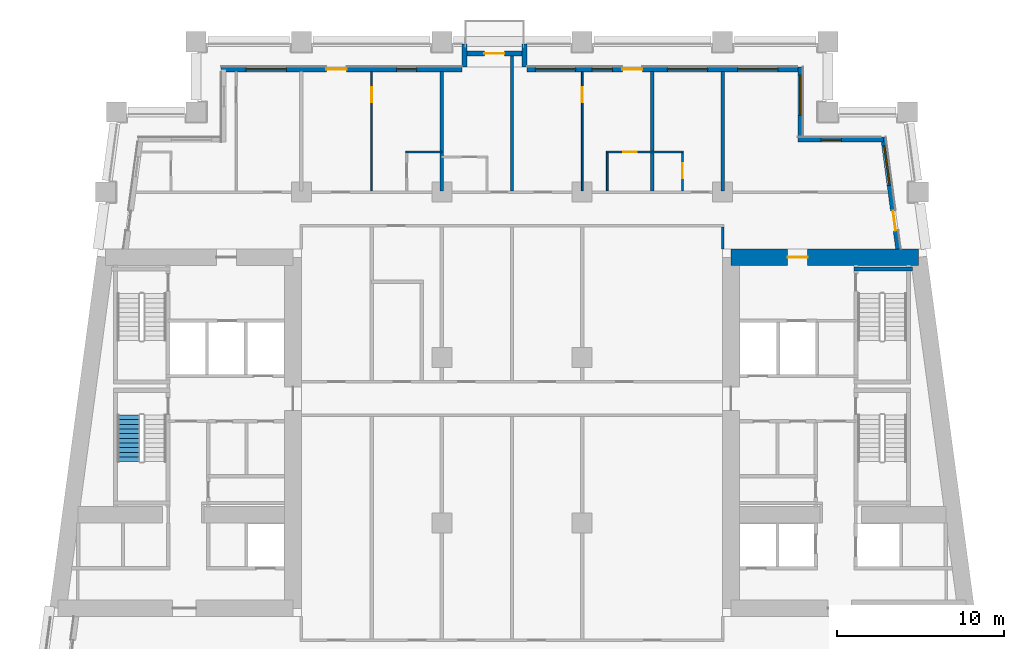
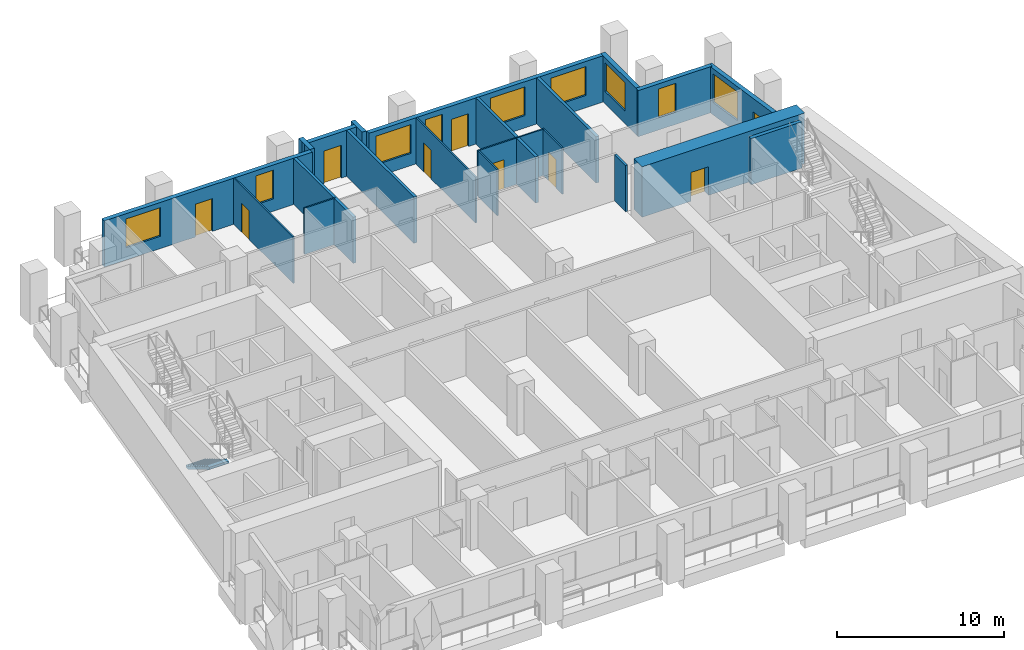
# One storey, part 7 of 13: 21 walls, 9 doors, 9 windows, 1 stair flight, 18 openings, 1 element without a shape of its own.
"""IFC4 building model written with IfcOpenShell, lengths in metres."""

from ifc_helpers import new_model, si_unit, direction, frame, frame_2d, origin, place, context, subcontext, project, spatial, polyline, rectangle, outline, extrude, material, layer, layer_set, type_object, element, fill, aggregate, save


model = new_model("IFC4")

# Units and contexts
model_context = context("Model", 3, precision=1e-05, world=origin(), true_north=direction((0.0, 1.0)))
body_context = subcontext(model_context, "Body", "Model", "MODEL_VIEW")
ifc_project = project(units=[si_unit("LENGTHUNIT", "METRE"), si_unit("AREAUNIT", "SQUARE_METRE"), si_unit("VOLUMEUNIT", "CUBIC_METRE"), si_unit("PLANEANGLEUNIT", "RADIAN"), si_unit("MASSUNIT", "GRAM", prefix="KILO")], contexts=[model_context])

# Site, building, storey
site_placement = place(None, origin())
site = spatial("IfcSite", under=ifc_project, at=site_placement, CompositionType="ELEMENT")
building_placement = place(site_placement, origin())
building = spatial("IfcBuilding", under=site, at=building_placement, Name="Candeia Pilgrim Tower and Theatre", CompositionType="ELEMENT")
storey_placement = place(building_placement, frame((0.0, 0.0, 91.0)))
storey = spatial("IfcBuildingStorey", under=building, at=storey_placement, Name="L20", CompositionType="ELEMENT", Elevation=91.0)

# Wall, opening, door
ifc_material_1 = material(Name="Concrete C70/85", Category="concrete")
ifc_layer_1 = layer(ifc_material_1, 1.0)
ifc_layer_set_1 = layer_set([ifc_layer_1], Name="Core wall 1000 C70/85")
wall_type_1 = type_object("IfcWallType", Name="Core wall 1000 C70/85", PredefinedType="SHEAR", material=ifc_layer_set_1)
wall_1_placement = place(storey_placement, frame((126.5, 131.89990234375, 0.0), z_axis=(0.0, 0.0, 1.0), x_axis=(1.0, 0.0, 0.0)))
wall_1 = element("IfcWall", 1, at=wall_1_placement, inside=storey, type_object=wall_type_1, Name="Core wall E1", PredefinedType="SHEAR", context=body_context, shape_type="SweptSolid", body=[
    extrude(rectangle(XDim=11.23193359375, YDim=1.0, at=frame_2d((5.615966796875, 0.0))), origin(), (0.0, 0.0, 1.0), 3.699951171875),
])
opening_1_placement = place(wall_1_placement, frame((3.386474609375, 0.0, 0.0)))
opening_1 = element("IfcOpeningElement", 2, at=opening_1_placement, cuts=wall_1, Name="Opening L20-D063", PredefinedType="OPENING", context=body_context, shape_type="SweptSolid", body=[
    extrude(rectangle(XDim=1.199951171875, YDim=2.10009765625, at=frame_2d((0.60009765625, 1.050048828125))), frame((0.0, 0.510009765625, 0.0), z_axis=(0.0, -1.0, 0.0), x_axis=(1.0, 0.0, 0.0)), (0.0, 0.0, 1.0), 1.02001953125),
])
ifc_material_2 = material(Name="Steel fire door set", Category="steel")
door_type_1 = type_object("IfcDoorType", Name="D-1200-FD60", OperationType="NOTDEFINED", PredefinedType="DOOR", material=ifc_material_2)
door_1_placement = place(opening_1_placement, origin())
door_1 = element("IfcDoor", 3, at=door_1_placement, inside=storey, type_object=door_type_1, Name="Door L20-D063", OperationType="SINGLE_SWING_LEFT", OverallHeight=2.10009765625, OverallWidth=1.199951171875, PredefinedType="DOOR", context=body_context, shape_type="SweptSolid", body=[
    extrude(rectangle(XDim=1.199951171875, YDim=2.10009765625, at=frame_2d((0.60009765625, 1.050048828125))), frame((0.0, 0.02490234375, 0.0), z_axis=(0.0, -1.0, 0.0), x_axis=(1.0, 0.0, 0.0)), (0.0, 0.0, 1.0), 0.050048828125),
])
fill(opening_1, door_1)

# Wall, openings, door, window
ifc_material_3 = material(Name="Ceramic block masonry", Category="masonry")
ifc_layer_2 = layer(ifc_material_3, 0.300048828125)
ifc_layer_set_2 = layer_set([ifc_layer_2], Name="EW1 glazing-line wall 300")
wall_type_2 = type_object("IfcWallType", Name="EW1 glazing-line wall 300", PredefinedType="SOLIDWALL", material=ifc_layer_set_2)
wall_2_placement = place(storey_placement, frame((136.50439453125, 132.39990234375, 0.0), z_axis=(0.0, 0.0, 1.0), x_axis=(-0.133399697462, 0.99106231929, 0.0)))
wall_2 = element("IfcWall", 4, at=wall_2_placement, inside=storey, type_object=wall_type_2, Name="External wall L20-3.1", PredefinedType="SOLIDWALL", context=body_context, shape_type="SweptSolid", body=[
    extrude(rectangle(XDim=6.740478515625, YDim=0.300048828125, at=frame_2d((3.3701171875, 0.0))), origin(), (0.0, 0.0, 1.0), 3.3798828125),
])
opening_2_placement = place(wall_2_placement, frame((1.115234375, 0.0, 0.0)))
opening_2 = element("IfcOpeningElement", 5, at=opening_2_placement, cuts=wall_2, Name="Opening L20-ED208", PredefinedType="OPENING", context=body_context, shape_type="SweptSolid", body=[
    extrude(rectangle(XDim=1.199951171875, YDim=2.39990234375, at=frame_2d((0.60009765625, 1.199951171875))), frame((0.0, 0.16015625, 0.0), z_axis=(0.0, -1.0, 0.0), x_axis=(1.0, 0.0, 0.0)), (0.0, 0.0, 1.0), 0.320068359375),
])
opening_3_placement = place(wall_2_placement, frame((3.83544921875, 0.0, 0.89990234375)))
opening_3 = element("IfcOpeningElement", 6, at=opening_3_placement, cuts=wall_2, Name="Opening W-A", PredefinedType="OPENING", context=body_context, shape_type="SweptSolid", body=[
    extrude(rectangle(XDim=2.39990234375, YDim=2.10009765625, at=frame_2d((1.199951171875, 1.050048828125))), frame((0.0, 0.16015625, 0.0), z_axis=(0.0, -1.0, 0.0), x_axis=(1.0, 0.0, 0.0)), (0.0, 0.0, 1.0), 0.320068359375),
])
ifc_material_4 = material(Name="Aluminium framed glazed door", Category="aluminium")
door_type_2 = type_object("IfcDoorType", Name="Loggia door 1200x2400", OperationType="DOUBLE_DOOR_SINGLE_SWING", PredefinedType="DOOR", material=ifc_material_4)
door_2_placement = place(opening_2_placement, origin())
door_2 = element("IfcDoor", 7, at=door_2_placement, inside=storey, type_object=door_type_2, Name="Loggia door L20-ED208", OperationType="DOUBLE_DOOR_SINGLE_SWING", OverallHeight=2.39990234375, OverallWidth=1.199951171875, PredefinedType="DOOR", context=body_context, shape_type="SweptSolid", body=[
    extrude(rectangle(XDim=1.199951171875, YDim=2.39990234375, at=frame_2d((0.60009765625, 1.199951171875))), frame((0.0, 0.02490234375, 0.0), z_axis=(0.0, -1.0, 0.0), x_axis=(1.0, 0.0, 0.0)), (0.0, 0.0, 1.0), 0.050048828125),
])
fill(opening_2, door_2)
ifc_material_5 = material(Name="Aluminium framed double glazing", Category="aluminium")
window_type_1 = type_object("IfcWindowType", Name="W-A window 2400x2100", PartitioningType="DOUBLE_PANEL_VERTICAL", PredefinedType="WINDOW", material=ifc_material_5)
window_1_placement = place(opening_3_placement, origin())
window_1 = element("IfcWindow", 8, at=window_1_placement, inside=storey, type_object=window_type_1, Name="Window W-A L20", OverallHeight=2.10009765625, OverallWidth=2.39990234375, PartitioningType="SINGLE_PANEL", PredefinedType="WINDOW", context=body_context, shape_type="SweptSolid", body=[
    extrude(rectangle(XDim=2.39990234375, YDim=2.10009765625, at=frame_2d((1.199951171875, 1.050048828125))), frame((0.0, 0.030029296875, 0.0), z_axis=(0.0, -1.0, 0.0), x_axis=(1.0, 0.0, 0.0)), (0.0, 0.0, 1.0), 0.06005859375),
])
fill(opening_3, window_1)

# Wall, opening, window
wall_3_placement = place(storey_placement, frame((135.62255859375, 138.949951171875, 0.0), z_axis=(0.0, 0.0, 1.0), x_axis=(-1.0, 0.0, 0.0)))
wall_3 = element("IfcWall", 9, at=wall_3_placement, inside=storey, type_object=wall_type_2, Name="External wall L20-4.0", PredefinedType="SOLIDWALL", context=body_context, shape_type="SweptSolid", body=[
    extrude(rectangle(XDim=5.12255859375, YDim=0.300048828125, at=frame_2d((2.561279296875, 0.0))), origin(), (0.0, 0.0, 1.0), 3.3798828125),
])
opening_4_placement = place(wall_3_placement, frame((2.522705078125, 0.0, 0.89990234375)))
opening_4 = element("IfcOpeningElement", 10, at=opening_4_placement, cuts=wall_3, Name="Opening W-B", PredefinedType="OPENING", context=body_context, shape_type="SweptSolid", body=[
    extrude(rectangle(XDim=1.199951171875, YDim=2.10009765625, at=frame_2d((0.60009765625, 1.050048828125))), frame((0.0, 0.16015625, 0.0), z_axis=(0.0, -1.0, 0.0), x_axis=(1.0, 0.0, 0.0)), (0.0, 0.0, 1.0), 0.320068359375),
])
window_type_2 = type_object("IfcWindowType", Name="W-B window 1200x2100", PartitioningType="SINGLE_PANEL", PredefinedType="WINDOW", material=ifc_material_5)
window_2_placement = place(opening_4_placement, origin())
window_2 = element("IfcWindow", 11, at=window_2_placement, inside=storey, type_object=window_type_2, Name="Window W-B L20", OverallHeight=2.10009765625, OverallWidth=1.199951171875, PartitioningType="SINGLE_PANEL", PredefinedType="WINDOW", context=body_context, shape_type="SweptSolid", body=[
    extrude(rectangle(XDim=1.199951171875, YDim=2.10009765625, at=frame_2d((0.60009765625, 1.050048828125))), frame((0.0, 0.030029296875, 0.0), z_axis=(0.0, -1.0, 0.0), x_axis=(1.0, 0.0, 0.0)), (0.0, 0.0, 1.0), 0.06005859375),
])
fill(opening_4, window_2)

wall_4_placement = place(storey_placement, frame((130.64990234375, 138.949951171875, 0.0), z_axis=(0.0, 0.0, 1.0), x_axis=(0.0, 1.0, 0.0)))
wall_4 = element("IfcWall", 12, at=wall_4_placement, inside=storey, type_object=wall_type_2, Name="External wall L20-5.0", PredefinedType="SOLIDWALL", context=body_context, shape_type="SweptSolid", body=[
    extrude(rectangle(XDim=4.35009765625, YDim=0.300048828125, at=frame_2d((2.175048828125, 0.0))), origin(), (0.0, 0.0, 1.0), 3.3798828125),
])
opening_5_placement = place(wall_4_placement, frame((1.449951171875, 0.0, 0.89990234375)))
opening_5 = element("IfcOpeningElement", 13, at=opening_5_placement, cuts=wall_4, Name="Opening W-A", PredefinedType="OPENING", context=body_context, shape_type="SweptSolid", body=[
    extrude(rectangle(XDim=2.39990234375, YDim=2.10009765625, at=frame_2d((1.199951171875, 1.050048828125))), frame((0.0, 0.16015625, 0.0), z_axis=(0.0, -1.0, 0.0), x_axis=(1.0, 0.0, 0.0)), (0.0, 0.0, 1.0), 0.320068359375),
])
window_3_placement = place(opening_5_placement, origin())
window_3 = element("IfcWindow", 14, at=window_3_placement, inside=storey, type_object=window_type_1, Name="Window W-A L20", OverallHeight=2.10009765625, OverallWidth=2.39990234375, PartitioningType="SINGLE_PANEL", PredefinedType="WINDOW", context=body_context, shape_type="SweptSolid", body=[
    extrude(rectangle(XDim=2.39990234375, YDim=2.10009765625, at=frame_2d((1.199951171875, 1.050048828125))), frame((0.0, 0.030029296875, 0.0), z_axis=(0.0, -1.0, 0.0), x_axis=(1.0, 0.0, 0.0)), (0.0, 0.0, 1.0), 0.06005859375),
])
fill(opening_5, window_3)

# Wall, openings, door, windows
wall_5_placement = place(storey_placement, frame((130.64990234375, 143.14990234375, 0.0), z_axis=(0.0, 0.0, 1.0), x_axis=(-1.0, 0.0, 0.0)))
wall_5 = element("IfcWall", 15, at=wall_5_placement, inside=storey, type_object=wall_type_2, Name="External wall L20-6.0", PredefinedType="SOLIDWALL", context=body_context, shape_type="SweptSolid", body=[
    extrude(rectangle(XDim=16.349853515625, YDim=0.300048828125, at=frame_2d((8.1748046875, 0.0))), origin(), (0.0, 0.0, 1.0), 3.3798828125),
])
opening_6_placement = place(wall_5_placement, frame((1.35009765625, 0.0, 0.89990234375)))
opening_6 = element("IfcOpeningElement", 16, at=opening_6_placement, cuts=wall_5, Name="Opening W-A", PredefinedType="OPENING", context=body_context, shape_type="SweptSolid", body=[
    extrude(rectangle(XDim=2.39990234375, YDim=2.10009765625, at=frame_2d((1.199951171875, 1.050048828125))), frame((0.0, 0.16015625, 0.0), z_axis=(0.0, -1.0, 0.0), x_axis=(1.0, 0.0, 0.0)), (0.0, 0.0, 1.0), 0.320068359375),
])
opening_7_placement = place(wall_5_placement, frame((5.550048828125, 0.0, 0.89990234375)))
opening_7 = element("IfcOpeningElement", 17, at=opening_7_placement, cuts=wall_5, Name="Opening W-A", PredefinedType="OPENING", context=body_context, shape_type="SweptSolid", body=[
    extrude(rectangle(XDim=2.39990234375, YDim=2.10009765625, at=frame_2d((1.199951171875, 1.050048828125))), frame((0.0, 0.16015625, 0.0), z_axis=(0.0, -1.0, 0.0), x_axis=(1.0, 0.0, 0.0)), (0.0, 0.0, 1.0), 0.320068359375),
])
opening_8_placement = place(wall_5_placement, frame((9.449951171875, 0.0, 0.0)))
opening_8 = element("IfcOpeningElement", 18, at=opening_8_placement, cuts=wall_5, Name="Opening L20-ED209", PredefinedType="OPENING", context=body_context, shape_type="SweptSolid", body=[
    extrude(rectangle(XDim=1.199951171875, YDim=2.39990234375, at=frame_2d((0.60009765625, 1.199951171875))), frame((0.0, 0.16015625, 0.0), z_axis=(0.0, -1.0, 0.0), x_axis=(1.0, 0.0, 0.0)), (0.0, 0.0, 1.0), 0.320068359375),
])
opening_9_placement = place(wall_5_placement, frame((11.25, 0.0, 0.89990234375)))
opening_9 = element("IfcOpeningElement", 19, at=opening_9_placement, cuts=wall_5, Name="Opening W-B", PredefinedType="OPENING", context=body_context, shape_type="SweptSolid", body=[
    extrude(rectangle(XDim=1.199951171875, YDim=2.10009765625, at=frame_2d((0.60009765625, 1.050048828125))), frame((0.0, 0.16015625, 0.0), z_axis=(0.0, -1.0, 0.0), x_axis=(1.0, 0.0, 0.0)), (0.0, 0.0, 1.0), 0.320068359375),
])
opening_10_placement = place(wall_5_placement, frame((13.449951171875, 0.0, 0.89990234375)))
opening_10 = element("IfcOpeningElement", 20, at=opening_10_placement, cuts=wall_5, Name="Opening W-A", PredefinedType="OPENING", context=body_context, shape_type="SweptSolid", body=[
    extrude(rectangle(XDim=2.39990234375, YDim=2.10009765625, at=frame_2d((1.199951171875, 1.050048828125))), frame((0.0, 0.16015625, 0.0), z_axis=(0.0, -1.0, 0.0), x_axis=(1.0, 0.0, 0.0)), (0.0, 0.0, 1.0), 0.320068359375),
])
door_3_placement = place(opening_8_placement, origin())
door_3 = element("IfcDoor", 21, at=door_3_placement, inside=storey, type_object=door_type_2, Name="Loggia door L20-ED209", OperationType="DOUBLE_DOOR_SINGLE_SWING", OverallHeight=2.39990234375, OverallWidth=1.199951171875, PredefinedType="DOOR", context=body_context, shape_type="SweptSolid", body=[
    extrude(rectangle(XDim=1.199951171875, YDim=2.39990234375, at=frame_2d((0.60009765625, 1.199951171875))), frame((0.0, 0.02490234375, 0.0), z_axis=(0.0, -1.0, 0.0), x_axis=(1.0, 0.0, 0.0)), (0.0, 0.0, 1.0), 0.050048828125),
])
fill(opening_8, door_3)
window_4_placement = place(opening_6_placement, origin())
window_4 = element("IfcWindow", 22, at=window_4_placement, inside=storey, type_object=window_type_1, Name="Window W-A L20", OverallHeight=2.10009765625, OverallWidth=2.39990234375, PartitioningType="SINGLE_PANEL", PredefinedType="WINDOW", context=body_context, shape_type="SweptSolid", body=[
    extrude(rectangle(XDim=2.39990234375, YDim=2.10009765625, at=frame_2d((1.199951171875, 1.050048828125))), frame((0.0, 0.030029296875, 0.0), z_axis=(0.0, -1.0, 0.0), x_axis=(1.0, 0.0, 0.0)), (0.0, 0.0, 1.0), 0.06005859375),
])
fill(opening_6, window_4)
window_5_placement = place(opening_7_placement, origin())
window_5 = element("IfcWindow", 23, at=window_5_placement, inside=storey, type_object=window_type_1, Name="Window W-A L20", OverallHeight=2.10009765625, OverallWidth=2.39990234375, PartitioningType="SINGLE_PANEL", PredefinedType="WINDOW", context=body_context, shape_type="SweptSolid", body=[
    extrude(rectangle(XDim=2.39990234375, YDim=2.10009765625, at=frame_2d((1.199951171875, 1.050048828125))), frame((0.0, 0.030029296875, 0.0), z_axis=(0.0, -1.0, 0.0), x_axis=(1.0, 0.0, 0.0)), (0.0, 0.0, 1.0), 0.06005859375),
])
fill(opening_7, window_5)
window_6_placement = place(opening_10_placement, origin())
window_6 = element("IfcWindow", 24, at=window_6_placement, inside=storey, type_object=window_type_1, Name="Window W-A L20", OverallHeight=2.10009765625, OverallWidth=2.39990234375, PartitioningType="SINGLE_PANEL", PredefinedType="WINDOW", context=body_context, shape_type="SweptSolid", body=[
    extrude(rectangle(XDim=2.39990234375, YDim=2.10009765625, at=frame_2d((1.199951171875, 1.050048828125))), frame((0.0, 0.030029296875, 0.0), z_axis=(0.0, -1.0, 0.0), x_axis=(1.0, 0.0, 0.0)), (0.0, 0.0, 1.0), 0.06005859375),
])
fill(opening_10, window_6)
window_7_placement = place(opening_9_placement, origin())
window_7 = element("IfcWindow", 25, at=window_7_placement, inside=storey, type_object=window_type_2, Name="Window W-B L20", OverallHeight=2.10009765625, OverallWidth=1.199951171875, PartitioningType="SINGLE_PANEL", PredefinedType="WINDOW", context=body_context, shape_type="SweptSolid", body=[
    extrude(rectangle(XDim=1.199951171875, YDim=2.10009765625, at=frame_2d((0.60009765625, 1.050048828125))), frame((0.0, 0.030029296875, 0.0), z_axis=(0.0, -1.0, 0.0), x_axis=(1.0, 0.0, 0.0)), (0.0, 0.0, 1.0), 0.06005859375),
])
fill(opening_9, window_7)

wall_6_placement = place(storey_placement, frame((110.39990234375, 143.14990234375, 0.0), z_axis=(0.0, 0.0, 1.0), x_axis=(-1.0, 0.0, 0.0)))
wall_6 = element("IfcWall", 26, at=wall_6_placement, inside=storey, type_object=wall_type_2, Name="External wall L20-6.1", PredefinedType="SOLIDWALL", context=body_context, shape_type="SweptSolid", body=[
    extrude(rectangle(XDim=14.39990234375, YDim=0.300048828125, at=frame_2d((7.199951171875, 0.0))), origin(), (0.0, 0.0, 1.0), 3.3798828125),
])
opening_11_placement = place(wall_6_placement, frame((2.699951171875, 0.0, 0.89990234375)))
opening_11 = element("IfcOpeningElement", 27, at=opening_11_placement, cuts=wall_6, Name="Opening W-B", PredefinedType="OPENING", context=body_context, shape_type="SweptSolid", body=[
    extrude(rectangle(XDim=1.199951171875, YDim=2.10009765625, at=frame_2d((0.60009765625, 1.050048828125))), frame((0.0, 0.16015625, 0.0), z_axis=(0.0, -1.0, 0.0), x_axis=(1.0, 0.0, 0.0)), (0.0, 0.0, 1.0), 0.320068359375),
])
opening_12_placement = place(wall_6_placement, frame((6.89990234375, 0.0, 0.0)))
opening_12 = element("IfcOpeningElement", 28, at=opening_12_placement, cuts=wall_6, Name="Opening L20-ED210", PredefinedType="OPENING", context=body_context, shape_type="SweptSolid", body=[
    extrude(rectangle(XDim=1.199951171875, YDim=2.39990234375, at=frame_2d((0.60009765625, 1.199951171875))), frame((0.0, 0.16015625, 0.0), z_axis=(0.0, -1.0, 0.0), x_axis=(1.0, 0.0, 0.0)), (0.0, 0.0, 1.0), 0.320068359375),
])
opening_13_placement = place(wall_6_placement, frame((10.5, 0.0, 0.89990234375)))
opening_13 = element("IfcOpeningElement", 29, at=opening_13_placement, cuts=wall_6, Name="Opening W-A", PredefinedType="OPENING", context=body_context, shape_type="SweptSolid", body=[
    extrude(rectangle(XDim=2.39990234375, YDim=2.10009765625, at=frame_2d((1.199951171875, 1.050048828125))), frame((0.0, 0.16015625, 0.0), z_axis=(0.0, -1.0, 0.0), x_axis=(1.0, 0.0, 0.0)), (0.0, 0.0, 1.0), 0.320068359375),
])
door_4_placement = place(opening_12_placement, origin())
door_4 = element("IfcDoor", 30, at=door_4_placement, inside=storey, type_object=door_type_2, Name="Loggia door L20-ED210", OperationType="DOUBLE_DOOR_SINGLE_SWING", OverallHeight=2.39990234375, OverallWidth=1.199951171875, PredefinedType="DOOR", context=body_context, shape_type="SweptSolid", body=[
    extrude(rectangle(XDim=1.199951171875, YDim=2.39990234375, at=frame_2d((0.60009765625, 1.199951171875))), frame((0.0, 0.02490234375, 0.0), z_axis=(0.0, -1.0, 0.0), x_axis=(1.0, 0.0, 0.0)), (0.0, 0.0, 1.0), 0.050048828125),
])
fill(opening_12, door_4)
window_8_placement = place(opening_13_placement, origin())
window_8 = element("IfcWindow", 31, at=window_8_placement, inside=storey, type_object=window_type_1, Name="Window W-A L20", OverallHeight=2.10009765625, OverallWidth=2.39990234375, PartitioningType="SINGLE_PANEL", PredefinedType="WINDOW", context=body_context, shape_type="SweptSolid", body=[
    extrude(rectangle(XDim=2.39990234375, YDim=2.10009765625, at=frame_2d((1.199951171875, 1.050048828125))), frame((0.0, 0.030029296875, 0.0), z_axis=(0.0, -1.0, 0.0), x_axis=(1.0, 0.0, 0.0)), (0.0, 0.0, 1.0), 0.06005859375),
])
fill(opening_13, window_8)
window_9_placement = place(opening_11_placement, origin())
window_9 = element("IfcWindow", 32, at=window_9_placement, inside=storey, type_object=window_type_2, Name="Window W-B L20", OverallHeight=2.10009765625, OverallWidth=1.199951171875, PartitioningType="SINGLE_PANEL", PredefinedType="WINDOW", context=body_context, shape_type="SweptSolid", body=[
    extrude(rectangle(XDim=1.199951171875, YDim=2.10009765625, at=frame_2d((0.60009765625, 1.050048828125))), frame((0.0, 0.030029296875, 0.0), z_axis=(0.0, -1.0, 0.0), x_axis=(1.0, 0.0, 0.0)), (0.0, 0.0, 1.0), 0.06005859375),
])
fill(opening_11, window_9)

# Walls
ifc_layer_3 = layer(ifc_material_3, 0.300048828125)
ifc_layer_set_3 = layer_set([ifc_layer_3], Name="EW2 entrance infill wall 300")
wall_type_3 = type_object("IfcWallType", Name="EW2 entrance infill wall 300", PredefinedType="SOLIDWALL", material=ifc_layer_set_3)
for number, where, z_axis, x_axis, name in (
    (33, (114.14990234375, 143.300048828125, 0.0), (0.0, 0.0, 1.0), (0.0, 1.0, 0.0), "Alcove wall L20"),
    (34, (110.550048828125, 143.300048828125, 0.0), (0.0, 0.0, 1.0), (0.0, 1.0, 0.0), "Alcove wall L20"),
):
    element("IfcWall", number, at=place(storey_placement, frame(where, z_axis=z_axis, x_axis=x_axis)), inside=storey, type_object=wall_type_3, Name=name, PredefinedType="SOLIDWALL", context=body_context, shape_type="SweptSolid", body=[
        extrude(rectangle(XDim=1.349853515625, YDim=0.300048828125, at=frame_2d((0.6748046875, 0.0))), origin(), (0.0, 0.0, 1.0), 3.3798828125),
    ])

# Wall, opening, door
wall_7_placement = place(storey_placement, frame((114.300048828125, 144.10009765625, 0.0), z_axis=(0.0, 0.0, 1.0), x_axis=(-1.0, 0.0, 0.0)))
wall_7 = element("IfcWall", 35, at=wall_7_placement, inside=storey, type_object=wall_type_3, Name="Alcove wall L20", PredefinedType="SOLIDWALL", context=body_context, shape_type="SweptSolid", body=[
    extrude(rectangle(XDim=3.900146484375, YDim=0.300048828125, at=frame_2d((1.9501953125, 0.0))), origin(), (0.0, 0.0, 1.0), 3.3798828125),
])
opening_14_placement = place(wall_7_placement, frame((1.35009765625, 0.0, 0.0)))
opening_14 = element("IfcOpeningElement", 36, at=opening_14_placement, cuts=wall_7, Name="Opening L20-ED211", PredefinedType="OPENING", context=body_context, shape_type="SweptSolid", body=[
    extrude(rectangle(XDim=1.199951171875, YDim=2.39990234375, at=frame_2d((0.60009765625, 1.199951171875))), frame((0.0, 0.16015625, 0.0), z_axis=(0.0, -1.0, 0.0), x_axis=(1.0, 0.0, 0.0)), (0.0, 0.0, 1.0), 0.320068359375),
])
door_5_placement = place(opening_14_placement, origin())
door_5 = element("IfcDoor", 37, at=door_5_placement, inside=storey, type_object=door_type_2, Name="Balcony door L20-ED211", OperationType="DOUBLE_DOOR_SINGLE_SWING", OverallHeight=2.39990234375, OverallWidth=1.199951171875, PredefinedType="DOOR", context=body_context, shape_type="SweptSolid", body=[
    extrude(rectangle(XDim=1.199951171875, YDim=2.39990234375, at=frame_2d((0.60009765625, 1.199951171875))), frame((0.0, 0.02490234375, 0.0), z_axis=(0.0, -1.0, 0.0), x_axis=(1.0, 0.0, 0.0)), (0.0, 0.0, 1.0), 0.050048828125),
])
fill(opening_14, door_5)

# Wall
ifc_material_6 = material(Name="Gypsum board partition on steel studs", Category="steel")
ifc_layer_4 = layer(ifc_material_6, 0.10009765625)
ifc_layer_set_4 = layer_set([ifc_layer_4], Name="PW-100 room partition")
wall_type_4 = type_object("IfcWallType", Name="PW-100 room partition", PredefinedType="PARTITIONING", material=ifc_layer_set_4)
wall_8_placement = place(storey_placement, frame((107.050048828125, 138.199951171875, 0.0), z_axis=(0.0, 0.0, 1.0), x_axis=(1.0, 0.0, 0.0)))
element("IfcWall", 38, at=wall_8_placement, inside=storey, type_object=wall_type_4, Name="Room partition L20-047", PredefinedType="PARTITIONING", context=body_context, shape_type="SweptSolid", body=[
    extrude(rectangle(XDim=2.14990234375, YDim=0.10009765625, at=frame_2d((1.074951171875, 0.0))), origin(), (0.0, 0.0, 1.0), 3.3798828125),
])

# Wall, opening, door
wall_9_placement = place(storey_placement, frame((119.050048828125, 138.199951171875, 0.0), z_axis=(0.0, 0.0, 1.0), x_axis=(1.0, 0.0, 0.0)))
wall_9 = element("IfcWall", 39, at=wall_9_placement, inside=storey, type_object=wall_type_4, Name="Room partition L20-048", PredefinedType="PARTITIONING", context=body_context, shape_type="SweptSolid", body=[
    extrude(rectangle(XDim=4.599853515625, YDim=0.10009765625, at=frame_2d((2.2998046875, 0.0))), origin(), (0.0, 0.0, 1.0), 3.3798828125),
])
opening_15_placement = place(wall_9_placement, frame((1.0, 0.0, 0.0)))
opening_15 = element("IfcOpeningElement", 40, at=opening_15_placement, cuts=wall_9, Name="Opening L20-D044", PredefinedType="OPENING", context=body_context, shape_type="SweptSolid", body=[
    extrude(rectangle(XDim=0.800048828125, YDim=2.10009765625, at=frame_2d((0.39990234375, 1.050048828125))), frame((0.0, 0.06005859375, 0.0), z_axis=(0.0, -1.0, 0.0), x_axis=(1.0, 0.0, 0.0)), (0.0, 0.0, 1.0), 0.1201171875),
])
ifc_material_7 = material(Name="Timber door leaf", Category="wood")
door_type_3 = type_object("IfcDoorType", Name="D-800", OperationType="NOTDEFINED", PredefinedType="DOOR", material=ifc_material_7)
door_6_placement = place(opening_15_placement, origin())
door_6 = element("IfcDoor", 41, at=door_6_placement, inside=storey, type_object=door_type_3, Name="Door L20-D044", OperationType="SINGLE_SWING_RIGHT", OverallHeight=2.10009765625, OverallWidth=0.800048828125, PredefinedType="DOOR", context=body_context, shape_type="SweptSolid", body=[
    extrude(rectangle(XDim=0.800048828125, YDim=2.10009765625, at=frame_2d((0.39990234375, 1.050048828125))), frame((0.0, 0.02490234375, 0.0), z_axis=(0.0, -1.0, 0.0), x_axis=(1.0, 0.0, 0.0)), (0.0, 0.0, 1.0), 0.050048828125),
])
fill(opening_15, door_6)

wall_10_placement = place(storey_placement, frame((105.0, 135.875, 0.0), z_axis=(0.0, 0.0, 1.0), x_axis=(0.0, 1.0, 0.0)))
wall_10 = element("IfcWall", 42, at=wall_10_placement, inside=storey, type_object=wall_type_4, Name="Room partition L20-076", PredefinedType="PARTITIONING", context=body_context, shape_type="SweptSolid", body=[
    extrude(rectangle(XDim=7.135009765625, YDim=0.10009765625, at=frame_2d((3.5673828125, 0.0))), origin(), (0.0, 0.0, 1.0), 3.3798828125),
])
opening_16_placement = place(wall_10_placement, frame((5.2900390625, 0.0, 0.0)))
opening_16 = element("IfcOpeningElement", 43, at=opening_16_placement, cuts=wall_10, Name="Opening L20-D038", PredefinedType="OPENING", context=body_context, shape_type="SweptSolid", body=[
    extrude(rectangle(XDim=0.89990234375, YDim=2.10009765625, at=frame_2d((0.449951171875, 1.050048828125))), frame((0.0, 0.06005859375, 0.0), z_axis=(0.0, -1.0, 0.0), x_axis=(1.0, 0.0, 0.0)), (0.0, 0.0, 1.0), 0.1201171875),
])
door_type_4 = type_object("IfcDoorType", Name="D-900", OperationType="NOTDEFINED", PredefinedType="DOOR", material=ifc_material_7)
door_7_placement = place(opening_16_placement, origin())
door_7 = element("IfcDoor", 44, at=door_7_placement, inside=storey, type_object=door_type_4, Name="Door L20-D038", OperationType="SINGLE_SWING_RIGHT", OverallHeight=2.10009765625, OverallWidth=0.89990234375, PredefinedType="DOOR", context=body_context, shape_type="SweptSolid", body=[
    extrude(rectangle(XDim=0.89990234375, YDim=2.10009765625, at=frame_2d((0.449951171875, 1.050048828125))), frame((0.0, 0.02490234375, 0.0), z_axis=(0.0, -1.0, 0.0), x_axis=(1.0, 0.0, 0.0)), (0.0, 0.0, 1.0), 0.050048828125),
])
fill(opening_16, door_7)

wall_11_placement = place(storey_placement, frame((117.60009765625, 135.875, 0.0), z_axis=(0.0, 0.0, 1.0), x_axis=(0.0, 1.0, 0.0)))
wall_11 = element("IfcWall", 45, at=wall_11_placement, inside=storey, type_object=wall_type_4, Name="Room partition L20-093", PredefinedType="PARTITIONING", context=body_context, shape_type="SweptSolid", body=[
    extrude(rectangle(XDim=7.135009765625, YDim=0.10009765625, at=frame_2d((3.5673828125, 0.0))), origin(), (0.0, 0.0, 1.0), 3.3798828125),
])
opening_17_placement = place(wall_11_placement, frame((5.2900390625, 0.0, 0.0)))
opening_17 = element("IfcOpeningElement", 46, at=opening_17_placement, cuts=wall_11, Name="Opening L20-D043", PredefinedType="OPENING", context=body_context, shape_type="SweptSolid", body=[
    extrude(rectangle(XDim=0.89990234375, YDim=2.10009765625, at=frame_2d((0.449951171875, 1.050048828125))), frame((0.0, 0.06005859375, 0.0), z_axis=(0.0, -1.0, 0.0), x_axis=(1.0, 0.0, 0.0)), (0.0, 0.0, 1.0), 0.1201171875),
])
door_8_placement = place(opening_17_placement, origin())
door_8 = element("IfcDoor", 47, at=door_8_placement, inside=storey, type_object=door_type_4, Name="Door L20-D043", OperationType="SINGLE_SWING_LEFT", OverallHeight=2.10009765625, OverallWidth=0.89990234375, PredefinedType="DOOR", context=body_context, shape_type="SweptSolid", body=[
    extrude(rectangle(XDim=0.89990234375, YDim=2.10009765625, at=frame_2d((0.449951171875, 1.050048828125))), frame((0.0, 0.02490234375, 0.0), z_axis=(0.0, -1.0, 0.0), x_axis=(1.0, 0.0, 0.0)), (0.0, 0.0, 1.0), 0.050048828125),
])
fill(opening_17, door_8)

# Wall
wall_12_placement = place(storey_placement, frame((119.10009765625, 135.875, 0.0), z_axis=(0.0, 0.0, 1.0), x_axis=(0.0, 1.0, 0.0)))
element("IfcWall", 48, at=wall_12_placement, inside=storey, type_object=wall_type_4, Name="Room partition L20-097", PredefinedType="PARTITIONING", context=body_context, shape_type="SweptSolid", body=[
    extrude(rectangle(XDim=2.27490234375, YDim=0.10009765625, at=frame_2d((1.137451171875, 0.0))), origin(), (0.0, 0.0, 1.0), 3.3798828125),
])

# Wall, opening, door
wall_13_placement = place(storey_placement, frame((123.60009765625, 135.875, 0.0), z_axis=(0.0, 0.0, 1.0), x_axis=(0.0, 1.0, 0.0)))
wall_13 = element("IfcWall", 49, at=wall_13_placement, inside=storey, type_object=wall_type_4, Name="Room partition L20-101", PredefinedType="PARTITIONING", context=body_context, shape_type="SweptSolid", body=[
    extrude(rectangle(XDim=2.27490234375, YDim=0.10009765625, at=frame_2d((1.137451171875, 0.0))), origin(), (0.0, 0.0, 1.0), 3.3798828125),
])
opening_18_placement = place(wall_13_placement, frame((0.7548828125, 0.0, 0.0)))
opening_18 = element("IfcOpeningElement", 50, at=opening_18_placement, cuts=wall_13, Name="Opening L20-D046", PredefinedType="OPENING", context=body_context, shape_type="SweptSolid", body=[
    extrude(rectangle(XDim=0.89990234375, YDim=2.10009765625, at=frame_2d((0.449951171875, 1.050048828125))), frame((0.0, 0.06005859375, 0.0), z_axis=(0.0, -1.0, 0.0), x_axis=(1.0, 0.0, 0.0)), (0.0, 0.0, 1.0), 0.1201171875),
])
door_9_placement = place(opening_18_placement, origin())
door_9 = element("IfcDoor", 51, at=door_9_placement, inside=storey, type_object=door_type_4, Name="Door L20-D046", OperationType="SINGLE_SWING_RIGHT", OverallHeight=2.10009765625, OverallWidth=0.89990234375, PredefinedType="DOOR", context=body_context, shape_type="SweptSolid", body=[
    extrude(rectangle(XDim=0.89990234375, YDim=2.10009765625, at=frame_2d((0.449951171875, 1.050048828125))), frame((0.0, 0.02490234375, 0.0), z_axis=(0.0, -1.0, 0.0), x_axis=(1.0, 0.0, 0.0)), (0.0, 0.0, 1.0), 0.050048828125),
])
fill(opening_18, door_9)

# Walls
ifc_layer_5 = layer(ifc_material_6, 0.14990234375)
ifc_layer_set_5 = layer_set([ifc_layer_5], Name="PW-150 unit wall")
wall_type_5 = type_object("IfcWallType", Name="PW-150 unit wall", PredefinedType="PARTITIONING", material=ifc_layer_set_5)
wall_14_placement = place(storey_placement, frame((126.0, 132.39990234375, 0.0), z_axis=(0.0, 0.0, 1.0), x_axis=(0.0, 1.0, 0.0)))
element("IfcWall", 52, at=wall_14_placement, inside=storey, type_object=wall_type_5, Name="Unit wall L20-106", PredefinedType="PARTITIONING", context=body_context, shape_type="SweptSolid", body=[
    extrude(rectangle(XDim=1.3251953125, YDim=0.14990234375, at=frame_2d((0.66259765625, 0.0))), origin(), (0.0, 0.0, 1.0), 3.3798828125),
])
ifc_layer_6 = layer(ifc_material_6, 0.199951171875)
ifc_layer_set_6 = layer_set([ifc_layer_6], Name="PW-200 party wall")
wall_type_6 = type_object("IfcWallType", Name="PW-200 party wall", PredefinedType="PARTITIONING", material=ifc_layer_set_6)
wall_15_placement = place(storey_placement, frame((109.199951171875, 135.875, 0.0), z_axis=(0.0, 0.0, 1.0), x_axis=(0.0, 1.0, 0.0)))
element("IfcWall", 53, at=wall_15_placement, inside=storey, type_object=wall_type_6, Name="Party wall L20-085", PredefinedType="PARTITIONING", context=body_context, shape_type="SweptSolid", body=[
    extrude(rectangle(XDim=7.135009765625, YDim=0.199951171875, at=frame_2d((3.5673828125, 0.0))), origin(), (0.0, 0.0, 1.0), 3.3798828125),
])
wall_16_placement = place(storey_placement, frame((113.39990234375, 135.875, 0.0), z_axis=(0.0, 0.0, 1.0), x_axis=(0.0, 1.0, 0.0)))
element("IfcWall", 54, at=wall_16_placement, inside=storey, type_object=wall_type_6, Name="Party wall L20-091", PredefinedType="PARTITIONING", context=body_context, shape_type="SweptSolid", body=[
    extrude(rectangle(XDim=8.0849609375, YDim=0.199951171875, at=frame_2d((4.04248046875, 0.0))), origin(), (0.0, 0.0, 1.0), 3.3798828125),
])
for number, where, z_axis, x_axis, name in (
    (55, (121.800048828125, 135.875, 0.0), (0.0, 0.0, 1.0), (0.0, 1.0, 0.0), "Party wall L20-100"),
    (56, (126.0, 135.875, 0.0), (0.0, 0.0, 1.0), (0.0, 1.0, 0.0), "Party wall L20-104"),
):
    element("IfcWall", number, at=place(storey_placement, frame(where, z_axis=z_axis, x_axis=x_axis)), inside=storey, type_object=wall_type_6, Name=name, PredefinedType="PARTITIONING", context=body_context, shape_type="SweptSolid", body=[
        extrude(rectangle(XDim=7.135009765625, YDim=0.199951171875, at=frame_2d((3.5673828125, 0.0))), origin(), (0.0, 0.0, 1.0), 3.3798828125),
    ])
ifc_material_8 = material(Name="Concrete C40/50", Category="concrete")
ifc_layer_7 = layer(ifc_material_8, 0.25)
ifc_layer_set_7 = layer_set([ifc_layer_7], Name="SW-250 stair wall")
wall_type_7 = type_object("IfcWallType", Name="SW-250 stair wall", PredefinedType="PARTITIONING", material=ifc_layer_set_7)
wall_17_placement = place(storey_placement, frame((133.847900390625, 131.199951171875, 0.0), z_axis=(0.0, 0.0, 1.0), x_axis=(1.0, 0.0, 0.0)))
element("IfcWall", 57, at=wall_17_placement, inside=storey, type_object=wall_type_7, Name="Stair wall L20-042", PredefinedType="PARTITIONING", context=body_context, shape_type="SweptSolid", body=[
    extrude(rectangle(XDim=3.50390625, YDim=0.25, at=frame_2d((1.751953125, 0.0))), origin(), (0.0, 0.0, 1.0), 3.3798828125),
])

# Stair, stair flight
stair_type = type_object("IfcStairType", Name="ST-TWR dog-leg escape stair", PredefinedType="HALF_TURN_STAIR", material=ifc_material_8)
stair_placement = place(storey_placement, origin())
stair = element("IfcStair", 58, at=stair_placement, inside=storey, type_object=stair_type, Name="L20 Escape stair ST1", PredefinedType="HALF_TURN_STAIR")
stair_flight_type = type_object("IfcStairFlightType", Name="SFL-RC stair flight", PredefinedType="STRAIGHT", material=ifc_material_8)
stair_flight_placement = place(storey_placement, frame((90.47705078125, 122.47509765625, 0.0), z_axis=(0.0, 0.0, 1.0), x_axis=(0.0, -1.0, 0.0)))
stair_flight = element("IfcStairFlight", 59, at=stair_flight_placement, type_object=stair_flight_type, Name="ST1 flight 1", NumberOfRisers=11, NumberOfTreads=10, PredefinedType="STRAIGHT", RiserHeight=0.168181818, TreadLength=0.28, context=body_context, shape_type="SweptSolid", body=[
    extrude(outline(polyline([(0.0, 0.0), (0.0, 0.168212890625), (0.280029296875, 0.168212890625), (0.280029296875, 0.33642578125), (0.56005859375, 0.33642578125), (0.56005859375, 0.504638671875), (0.840087890625, 0.504638671875), (0.840087890625, 0.672607421875), (1.1201171875, 0.672607421875), (1.1201171875, 0.8408203125), (1.39990234375, 0.8408203125), (1.39990234375, 1.009033203125), (1.679931640625, 1.009033203125), (1.679931640625, 1.17724609375), (1.9599609375, 1.17724609375), (1.9599609375, 1.345458984375), (2.239990234375, 1.345458984375), (2.239990234375, 1.513671875), (2.52001953125, 1.513671875), (2.52001953125, 1.681884765625), (2.800048828125, 1.681884765625), (2.800048828125, 1.85009765625), (2.800048828125, 1.5068359375), (0.291015625, 0.0), (0.0, 0.0)])), frame((0.0, 0.675048828125, 0.0), z_axis=(0.0, -1.0, 0.0), x_axis=(1.0, 0.0, 0.0)), (0.0, 0.0, 1.0), 1.35009765625),
])
aggregate(stair, [stair_flight])

save(model, "model.ifc")
